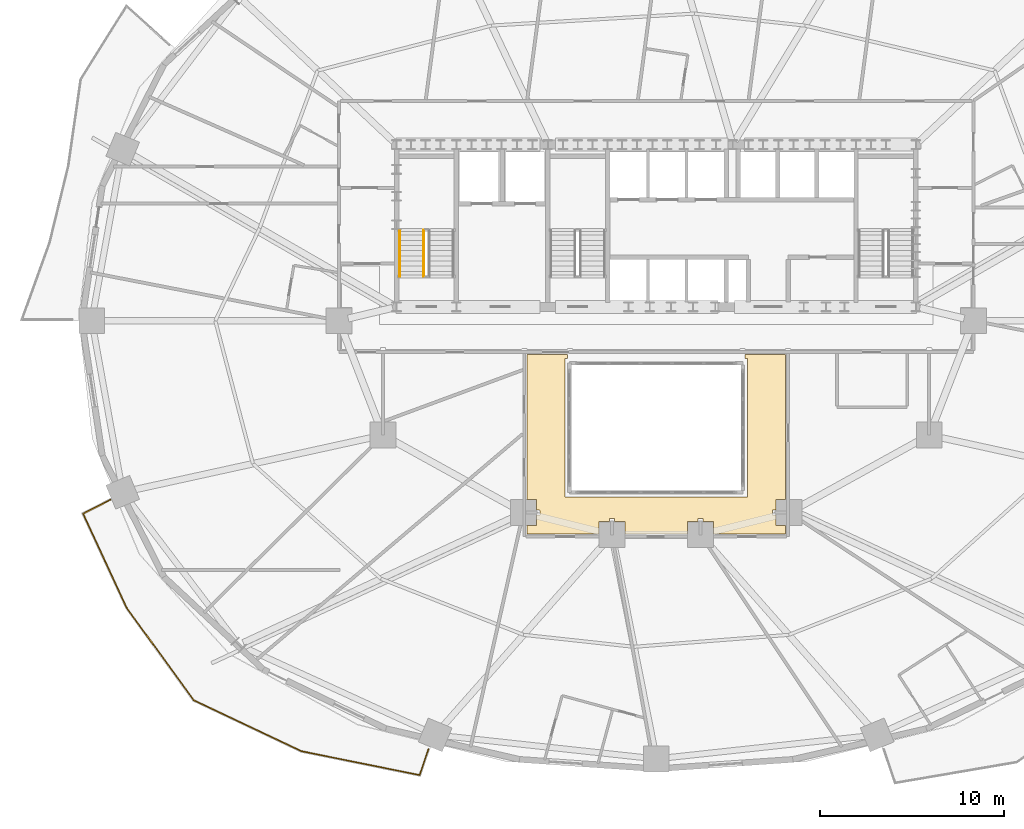
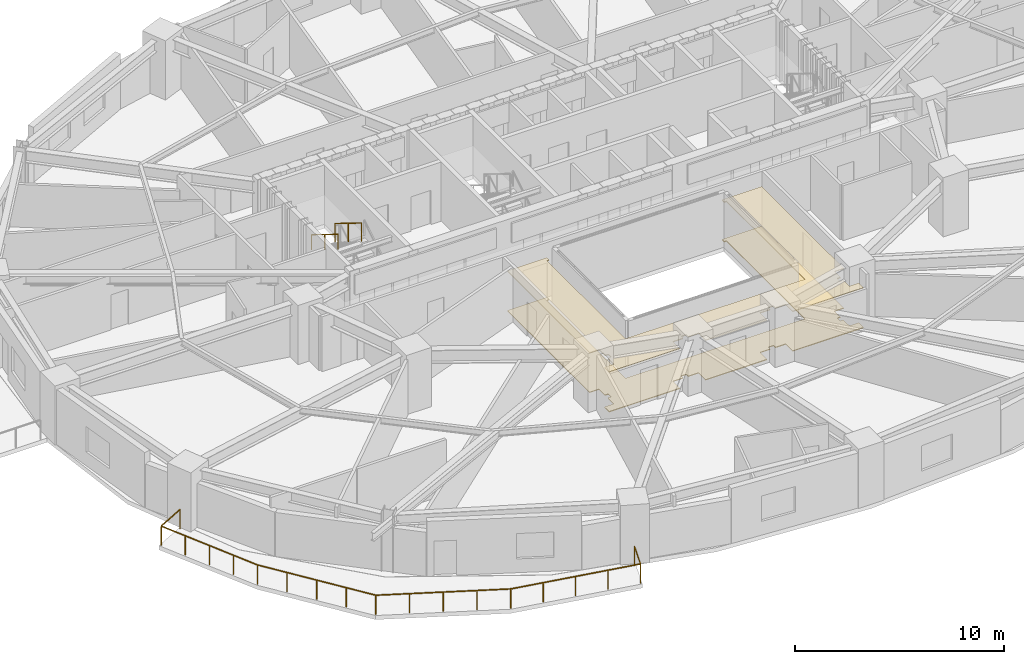
# One storey, part 14 of 17: 3 railings, 2 coverings.
"""IFC4 building model written with IfcOpenShell, lengths in metres."""

from ifc_helpers import new_model, si_unit, direction, frame, origin, origin_2d, place, context, subcontext, project, spatial, polyline, rectangle, outline, extrude, material, layer, layer_set, type_object, element, save


model = new_model("IFC4")

# Units and contexts
model_context = context("Model", 3, precision=1e-05, world=origin(), true_north=direction((0.0, 1.0)))
body_context = subcontext(model_context, "Body", "Model", "MODEL_VIEW")
ifc_project = project(units=[si_unit("LENGTHUNIT", "METRE"), si_unit("AREAUNIT", "SQUARE_METRE"), si_unit("VOLUMEUNIT", "CUBIC_METRE"), si_unit("PLANEANGLEUNIT", "RADIAN"), si_unit("MASSUNIT", "GRAM", prefix="KILO")], contexts=[model_context])

# Site, building, storey
site_placement = place(None, origin())
site = spatial("IfcSite", under=ifc_project, at=site_placement, CompositionType="ELEMENT")
building_placement = place(site_placement, origin())
building = spatial("IfcBuilding", under=site, at=building_placement, Name="Haldorwick Loom Tower", CompositionType="ELEMENT")
storey_placement = place(building_placement, frame((0.0, 0.0, 51.60009765625)))
storey = spatial("IfcBuildingStorey", under=building, at=storey_placement, Name="L13", CompositionType="ELEMENT", Elevation=51.60009765625)

# Coverings
ifc_material_1 = material(Name="Mineral Fibre Acoustic Ceiling Tile")
ifc_layer_1 = layer(ifc_material_1, 0.054931640625, Name="Mineral Fibre Acoustic Ceiling Tile")
ifc_layer_set_1 = layer_set([ifc_layer_1], Name="Mineral Fibre Acoustic Ceiling Tile")
covering_type_1 = type_object("IfcCoveringType", Name="ARC-COV-CEIL2", PredefinedType="CEILING", material=ifc_layer_set_1)
covering_1_placement = place(storey_placement, frame((0.0, 0.0, 2.302001953125)))
element("IfcCovering", 1, at=covering_1_placement, inside=storey, type_object=covering_type_1, Name="L13 Acoustic Suspended Ceiling 1", PredefinedType="CEILING", context=body_context, shape_type="SweptSolid", body=[
    extrude(outline(polyline([(37.69189453125, 14.43994140625), (37.69189453125, 15.10791015625), (38.260009765625, 15.10791015625), (38.260009765625, 15.27001953125), (38.260009765625, 15.27197265625), (38.260498046875, 15.27392578125), (38.260986328125, 15.27587890625), (38.261474609375, 15.277587890625), (38.262451171875, 15.279296875), (38.263427734375, 15.281005859375), (38.264404296875, 15.28271484375), (38.265869140625, 15.2841796875), (38.267333984375, 15.285400390625), (38.268798828125, 15.28662109375), (38.2705078125, 15.28759765625), (38.272216796875, 15.28857421875), (38.274169921875, 15.2890625), (38.276123046875, 15.28955078125), (38.278076171875, 15.289794921875), (38.280029296875, 15.2900390625), (38.52001953125, 15.2900390625), (38.52197265625, 15.289794921875), (38.52392578125, 15.28955078125), (38.52587890625, 15.289306640625), (38.527587890625, 15.28857421875), (38.529296875, 15.28759765625), (38.531005859375, 15.28662109375), (38.53271484375, 15.285400390625), (38.5341796875, 15.2841796875), (38.535400390625, 15.28271484375), (38.53662109375, 15.28125), (38.53759765625, 15.279541015625), (38.538330078125, 15.27783203125), (38.5390625, 15.27587890625), (38.53955078125, 15.274169921875), (38.539794921875, 15.272216796875), (38.5400390625, 15.270263671875), (38.5419921875, 15.10791015625), (39.10791015625, 15.10791015625), (39.10791015625, 14.43994140625), (43.010009765625, 14.43994140625), (43.010009765625, 14.89208984375), (42.491943359375, 14.89208984375), (42.491943359375, 15.4599609375), (42.330078125, 15.4599609375), (42.327880859375, 15.460205078125), (42.326171875, 15.46044921875), (42.32421875, 15.4609375), (42.322265625, 15.46142578125), (42.320556640625, 15.46240234375), (42.31884765625, 15.46337890625), (42.3173828125, 15.464599609375), (42.31591796875, 15.4658203125), (42.314453125, 15.46728515625), (42.3134765625, 15.468994140625), (42.3125, 15.470703125), (42.3115234375, 15.472412109375), (42.310791015625, 15.47412109375), (42.310302734375, 15.47607421875), (42.31005859375, 15.47802734375), (42.31005859375, 15.47998046875), (42.31005859375, 15.719970703125), (42.31005859375, 15.721923828125), (42.310302734375, 15.723876953125), (42.310791015625, 15.725830078125), (42.3115234375, 15.727783203125), (42.3125, 15.7294921875), (42.3134765625, 15.731201171875), (42.314453125, 15.732666015625), (42.31591796875, 15.734130859375), (42.3173828125, 15.735595703125), (42.31884765625, 15.736572265625), (42.320556640625, 15.737548828125), (42.322265625, 15.738525390625), (42.32421875, 15.739013671875), (42.326171875, 15.739501953125), (42.327880859375, 15.739990234375), (42.330078125, 15.739990234375), (42.491943359375, 15.739990234375), (42.491943359375, 16.30810546875), (43.010009765625, 16.30810546875), (43.010009765625, 24.159912109375), (40.820068359375, 24.159912109375), (40.820068359375, 23.949951171875), (40.949951171875, 23.949951171875), (40.949951171875, 16.449951171875), (31.050048828125, 16.449951171875), (31.050048828125, 23.949951171875), (31.179931640625, 23.949951171875), (31.179931640625, 24.159912109375), (28.989990234375, 24.159912109375), (28.989990234375, 16.30810546875), (29.508056640625, 16.30810546875), (29.508056640625, 15.739990234375), (29.669921875, 15.739990234375), (29.672119140625, 15.739990234375), (29.673828125, 15.739501953125), (29.67578125, 15.739013671875), (29.677734375, 15.738525390625), (29.679443359375, 15.737548828125), (29.68115234375, 15.736572265625), (29.6826171875, 15.735595703125), (29.68408203125, 15.734130859375), (29.685546875, 15.732666015625), (29.6865234375, 15.731201171875), (29.6875, 15.7294921875), (29.6884765625, 15.727783203125), (29.689208984375, 15.725830078125), (29.689697265625, 15.723876953125), (29.68994140625, 15.721923828125), (29.68994140625, 15.719970703125), (29.68994140625, 15.47998046875), (29.68994140625, 15.47802734375), (29.689697265625, 15.47607421875), (29.689208984375, 15.47412109375), (29.6884765625, 15.472412109375), (29.6875, 15.470703125), (29.6865234375, 15.468994140625), (29.685546875, 15.46728515625), (29.68408203125, 15.4658203125), (29.6826171875, 15.464599609375), (29.68115234375, 15.46337890625), (29.679443359375, 15.46240234375), (29.677734375, 15.46142578125), (29.67578125, 15.4609375), (29.673828125, 15.46044921875), (29.672119140625, 15.460205078125), (29.669921875, 15.4599609375), (29.508056640625, 15.4599609375), (29.508056640625, 14.89208984375), (28.989990234375, 14.89208984375), (28.989990234375, 14.43994140625), (32.89208984375, 14.43994140625), (32.89208984375, 15.10791015625), (33.458984375, 15.10791015625), (33.4599609375, 15.27001953125), (33.460205078125, 15.272216796875), (33.46044921875, 15.27392578125), (33.4609375, 15.27587890625), (33.461669921875, 15.277587890625), (33.46240234375, 15.279541015625), (33.46337890625, 15.28125), (33.464599609375, 15.28271484375), (33.4658203125, 15.2841796875), (33.46728515625, 15.285400390625), (33.468994140625, 15.28662109375), (33.470703125, 15.28759765625), (33.472412109375, 15.28857421875), (33.47412109375, 15.2890625), (33.47607421875, 15.28955078125), (33.47802734375, 15.289794921875), (33.47998046875, 15.2900390625), (33.719970703125, 15.2900390625), (33.721923828125, 15.289794921875), (33.723876953125, 15.28955078125), (33.725830078125, 15.2890625), (33.727783203125, 15.28857421875), (33.7294921875, 15.28759765625), (33.731201171875, 15.28662109375), (33.732666015625, 15.285400390625), (33.734130859375, 15.2841796875), (33.735595703125, 15.28271484375), (33.736572265625, 15.281005859375), (33.737548828125, 15.279296875), (33.738525390625, 15.277587890625), (33.739013671875, 15.27587890625), (33.739501953125, 15.27392578125), (33.739990234375, 15.27197265625), (33.739990234375, 15.27001953125), (33.739990234375, 15.10791015625), (34.30810546875, 15.10791015625), (34.30810546875, 14.43994140625), (37.69189453125, 14.43994140625)])), origin(), (0.0, 0.0, 1.0), 0.054931640625),
])
ifc_material_2 = material(Name="Polished Aggregate Terrazzo Finish")
ifc_layer_2 = layer(ifc_material_2, 0.044921875, Name="Polished Aggregate Terrazzo Finish")
ifc_layer_set_2 = layer_set([ifc_layer_2], Name="Polished Aggregate Terrazzo Finish")
covering_type_2 = type_object("IfcCoveringType", Name="ARC-COV-FLOOR2", PredefinedType="FLOORING", material=ifc_layer_set_2)
covering_2_placement = place(storey_placement, origin())
element("IfcCovering", 2, at=covering_2_placement, inside=storey, type_object=covering_type_2, Name="L13 Floor Finish 1", PredefinedType="FLOORING", context=body_context, shape_type="SweptSolid", body=[
    extrude(outline(polyline([(37.69189453125, 14.43994140625), (37.69189453125, 15.10791015625), (38.260009765625, 15.10791015625), (38.260009765625, 15.27001953125), (38.260009765625, 15.27197265625), (38.260498046875, 15.27392578125), (38.260986328125, 15.27587890625), (38.261474609375, 15.277587890625), (38.262451171875, 15.279296875), (38.263427734375, 15.281005859375), (38.264404296875, 15.28271484375), (38.265869140625, 15.2841796875), (38.267333984375, 15.285400390625), (38.268798828125, 15.28662109375), (38.2705078125, 15.28759765625), (38.272216796875, 15.28857421875), (38.274169921875, 15.2890625), (38.276123046875, 15.28955078125), (38.278076171875, 15.289794921875), (38.280029296875, 15.2900390625), (38.52001953125, 15.2900390625), (38.52197265625, 15.289794921875), (38.52392578125, 15.28955078125), (38.52587890625, 15.289306640625), (38.527587890625, 15.28857421875), (38.529296875, 15.28759765625), (38.531005859375, 15.28662109375), (38.53271484375, 15.285400390625), (38.5341796875, 15.2841796875), (38.535400390625, 15.28271484375), (38.53662109375, 15.28125), (38.53759765625, 15.279541015625), (38.538330078125, 15.27783203125), (38.5390625, 15.27587890625), (38.53955078125, 15.274169921875), (38.539794921875, 15.272216796875), (38.5400390625, 15.270263671875), (38.5419921875, 15.10791015625), (39.10791015625, 15.10791015625), (39.10791015625, 14.43994140625), (43.010009765625, 14.43994140625), (43.010009765625, 14.89208984375), (42.491943359375, 14.89208984375), (42.491943359375, 15.4599609375), (42.330078125, 15.4599609375), (42.327880859375, 15.460205078125), (42.326171875, 15.46044921875), (42.32421875, 15.4609375), (42.322265625, 15.46142578125), (42.320556640625, 15.46240234375), (42.31884765625, 15.46337890625), (42.3173828125, 15.464599609375), (42.31591796875, 15.4658203125), (42.314453125, 15.46728515625), (42.3134765625, 15.468994140625), (42.3125, 15.470703125), (42.3115234375, 15.472412109375), (42.310791015625, 15.47412109375), (42.310302734375, 15.47607421875), (42.31005859375, 15.47802734375), (42.31005859375, 15.47998046875), (42.31005859375, 15.719970703125), (42.31005859375, 15.721923828125), (42.310302734375, 15.723876953125), (42.310791015625, 15.725830078125), (42.3115234375, 15.727783203125), (42.3125, 15.7294921875), (42.3134765625, 15.731201171875), (42.314453125, 15.732666015625), (42.31591796875, 15.734130859375), (42.3173828125, 15.735595703125), (42.31884765625, 15.736572265625), (42.320556640625, 15.737548828125), (42.322265625, 15.738525390625), (42.32421875, 15.739013671875), (42.326171875, 15.739501953125), (42.327880859375, 15.739990234375), (42.330078125, 15.739990234375), (42.491943359375, 15.739990234375), (42.491943359375, 16.30810546875), (43.010009765625, 16.30810546875), (43.010009765625, 24.159912109375), (40.820068359375, 24.159912109375), (40.820068359375, 23.949951171875), (40.949951171875, 23.949951171875), (40.949951171875, 16.449951171875), (31.050048828125, 16.449951171875), (31.050048828125, 23.949951171875), (31.179931640625, 23.949951171875), (31.179931640625, 24.159912109375), (28.989990234375, 24.159912109375), (28.989990234375, 16.30810546875), (29.508056640625, 16.30810546875), (29.508056640625, 15.739990234375), (29.669921875, 15.739990234375), (29.672119140625, 15.739990234375), (29.673828125, 15.739501953125), (29.67578125, 15.739013671875), (29.677734375, 15.738525390625), (29.679443359375, 15.737548828125), (29.68115234375, 15.736572265625), (29.6826171875, 15.735595703125), (29.68408203125, 15.734130859375), (29.685546875, 15.732666015625), (29.6865234375, 15.731201171875), (29.6875, 15.7294921875), (29.6884765625, 15.727783203125), (29.689208984375, 15.725830078125), (29.689697265625, 15.723876953125), (29.68994140625, 15.721923828125), (29.68994140625, 15.719970703125), (29.68994140625, 15.47998046875), (29.68994140625, 15.47802734375), (29.689697265625, 15.47607421875), (29.689208984375, 15.47412109375), (29.6884765625, 15.472412109375), (29.6875, 15.470703125), (29.6865234375, 15.468994140625), (29.685546875, 15.46728515625), (29.68408203125, 15.4658203125), (29.6826171875, 15.464599609375), (29.68115234375, 15.46337890625), (29.679443359375, 15.46240234375), (29.677734375, 15.46142578125), (29.67578125, 15.4609375), (29.673828125, 15.46044921875), (29.672119140625, 15.460205078125), (29.669921875, 15.4599609375), (29.508056640625, 15.4599609375), (29.508056640625, 14.89208984375), (28.989990234375, 14.89208984375), (28.989990234375, 14.43994140625), (32.89208984375, 14.43994140625), (32.89208984375, 15.10791015625), (33.458984375, 15.10791015625), (33.4599609375, 15.27001953125), (33.460205078125, 15.272216796875), (33.46044921875, 15.27392578125), (33.4609375, 15.27587890625), (33.461669921875, 15.277587890625), (33.46240234375, 15.279541015625), (33.46337890625, 15.28125), (33.464599609375, 15.28271484375), (33.4658203125, 15.2841796875), (33.46728515625, 15.285400390625), (33.468994140625, 15.28662109375), (33.470703125, 15.28759765625), (33.472412109375, 15.28857421875), (33.47412109375, 15.2890625), (33.47607421875, 15.28955078125), (33.47802734375, 15.289794921875), (33.47998046875, 15.2900390625), (33.719970703125, 15.2900390625), (33.721923828125, 15.289794921875), (33.723876953125, 15.28955078125), (33.725830078125, 15.2890625), (33.727783203125, 15.28857421875), (33.7294921875, 15.28759765625), (33.731201171875, 15.28662109375), (33.732666015625, 15.285400390625), (33.734130859375, 15.2841796875), (33.735595703125, 15.28271484375), (33.736572265625, 15.281005859375), (33.737548828125, 15.279296875), (33.738525390625, 15.277587890625), (33.739013671875, 15.27587890625), (33.739501953125, 15.27392578125), (33.739990234375, 15.27197265625), (33.739990234375, 15.27001953125), (33.739990234375, 15.10791015625), (34.30810546875, 15.10791015625), (34.30810546875, 14.43994140625), (37.69189453125, 14.43994140625)])), origin(), (0.0, 0.0, 1.0), 0.044921875),
])

# Railings
ifc_material_3 = material(Name="Galvanized Steel CSA G40.21 350W", Category="steel")
railing_type_1 = type_object("IfcRailingType", Name="ARC-RLG-BAL115", PredefinedType="BALUSTRADE", material=ifc_material_3)
railing_1_placement = place(storey_placement, frame((23.660400390625, 2.79248046875, 0.0)))
element("IfcRailing", 3, at=railing_1_placement, inside=storey, type_object=railing_type_1, Name="L13 Outdoor Terrace Guardrail SLB-L13-BAL_SW-1", PredefinedType="BALUSTRADE", context=body_context, shape_type="SweptSolid", body=[
    extrude(rectangle(XDim=0.048095703125, YDim=0.048095703125, at=origin_2d()), frame((0.0, 0.0, 1.1259765625), z_axis=(-0.32290577032, -0.946431119255, 0.0), x_axis=(0.946431119255, -0.32290577032, 0.0)), (0.0, 0.0, 1.0), 1.500732421875),
    extrude(rectangle(XDim=0.048095703125, YDim=0.048095703125, at=origin_2d()), frame((-0.484619140625, -1.42041015625, 1.1259765625), z_axis=(-0.980139965522, 0.198306953954, 0.0), x_axis=(-0.198306953954, -0.980139965522, 0.0)), (0.0, 0.0, 1.0), 6.534912109375),
    extrude(rectangle(XDim=0.048095703125, YDim=0.048095703125, at=origin_2d()), frame((-6.8896484375, -0.12451171875, 1.1259765625), z_axis=(-0.903760901088, 0.428037654494, 0.0), x_axis=(-0.428037654494, -0.903760901088, 0.0)), (0.0, 0.0, 1.0), 6.46630859375),
    extrude(rectangle(XDim=0.048095703125, YDim=0.048095703125, at=origin_2d()), frame((-12.733642578125, 2.643310546875, 1.1259765625), z_axis=(-0.586900247166, 0.809659249238, 0.0), x_axis=(-0.809659249238, -0.586900247166, 0.0)), (0.0, 0.0, 1.0), 6.18017578125),
    extrude(rectangle(XDim=0.048095703125, YDim=0.048095703125, at=origin_2d()), frame((-16.36083984375, 7.647216796875, 1.1259765625), z_axis=(-0.420617836847, 0.907237915503, 0.0), x_axis=(-0.907237915503, -0.420617836847, 0.0)), (0.0, 0.0, 1.0), 5.626220703125),
    extrude(rectangle(XDim=0.048095703125, YDim=0.048095703125, at=origin_2d()), frame((-18.727294921875, 12.75146484375, 1.1259765625), z_axis=(0.891661262254, 0.452703206744, 0.0), x_axis=(-0.452703206744, 0.891661262254, 0.0)), (0.0, 0.0, 1.0), 1.65185546875),
    extrude(rectangle(XDim=0.0419921875, YDim=0.0419921875, at=origin_2d()), origin(), (0.0, 0.0, 1.0), 1.101806640625),
    extrude(rectangle(XDim=0.0419921875, YDim=0.0419921875, at=origin_2d()), frame((-0.484619140625, -1.42041015625, 0.0)), (0.0, 0.0, 1.0), 1.101806640625),
    extrude(rectangle(XDim=0.0419921875, YDim=0.0419921875, at=origin_2d()), frame((-2.0859375, -1.096435546875, 0.0)), (0.0, 0.0, 1.0), 1.101806640625),
    extrude(rectangle(XDim=0.0419921875, YDim=0.0419921875, at=origin_2d()), frame((-3.68701171875, -0.7724609375, 0.0)), (0.0, 0.0, 1.0), 1.101806640625),
    extrude(rectangle(XDim=0.0419921875, YDim=0.0419921875, at=origin_2d()), frame((-5.288330078125, -0.448486328125, 0.0)), (0.0, 0.0, 1.0), 1.101806640625),
    extrude(rectangle(XDim=0.0419921875, YDim=0.0419921875, at=origin_2d()), frame((-6.8896484375, -0.12451171875, 0.0)), (0.0, 0.0, 1.0), 1.101806640625),
    extrude(rectangle(XDim=0.0419921875, YDim=0.0419921875, at=origin_2d()), frame((-8.3505859375, 0.5673828125, 0.0)), (0.0, 0.0, 1.0), 1.101806640625),
    extrude(rectangle(XDim=0.0419921875, YDim=0.0419921875, at=origin_2d()), frame((-9.8115234375, 1.25927734375, 0.0)), (0.0, 0.0, 1.0), 1.101806640625),
    extrude(rectangle(XDim=0.0419921875, YDim=0.0419921875, at=origin_2d()), frame((-11.272705078125, 1.951416015625, 0.0)), (0.0, 0.0, 1.0), 1.101806640625),
    extrude(rectangle(XDim=0.0419921875, YDim=0.0419921875, at=origin_2d()), frame((-12.733642578125, 2.643310546875, 0.0)), (0.0, 0.0, 1.0), 1.101806640625),
    extrude(rectangle(XDim=0.0419921875, YDim=0.0419921875, at=origin_2d()), frame((-13.640380859375, 3.894287109375, 0.0)), (0.0, 0.0, 1.0), 1.101806640625),
    extrude(rectangle(XDim=0.0419921875, YDim=0.0419921875, at=origin_2d()), frame((-14.54736328125, 5.145263671875, 0.0)), (0.0, 0.0, 1.0), 1.101806640625),
    extrude(rectangle(XDim=0.0419921875, YDim=0.0419921875, at=origin_2d()), frame((-15.4541015625, 6.396240234375, 0.0)), (0.0, 0.0, 1.0), 1.101806640625),
    extrude(rectangle(XDim=0.0419921875, YDim=0.0419921875, at=origin_2d()), frame((-16.36083984375, 7.647216796875, 0.0)), (0.0, 0.0, 1.0), 1.101806640625),
    extrude(rectangle(XDim=0.0419921875, YDim=0.0419921875, at=origin_2d()), frame((-16.952392578125, 8.92333984375, 0.0)), (0.0, 0.0, 1.0), 1.101806640625),
    extrude(rectangle(XDim=0.0419921875, YDim=0.0419921875, at=origin_2d()), frame((-17.5439453125, 10.19921875, 0.0)), (0.0, 0.0, 1.0), 1.101806640625),
    extrude(rectangle(XDim=0.0419921875, YDim=0.0419921875, at=origin_2d()), frame((-18.1357421875, 11.475341796875, 0.0)), (0.0, 0.0, 1.0), 1.101806640625),
    extrude(rectangle(XDim=0.0419921875, YDim=0.0419921875, at=origin_2d()), frame((-18.727294921875, 12.75146484375, 0.0)), (0.0, 0.0, 1.0), 1.101806640625),
    extrude(rectangle(XDim=0.0419921875, YDim=0.0419921875, at=origin_2d()), frame((-17.25439453125, 13.499267578125, 0.0)), (0.0, 0.0, 1.0), 1.101806640625),
])
ifc_material_4 = material(Name="Steel CSA G40.21 350W", Category="steel")
railing_type_2 = type_object("IfcRailingType", Name="ARC-RLG-GUARD112", PredefinedType="GUARDRAIL", material=ifc_material_4)
railing_2_placement = place(storey_placement, frame((23.39990234375, 30.919921875, 1.8974609375)))
element("IfcRailing", 4, at=railing_2_placement, inside=storey, type_object=railing_type_2, Name="L13 ST-01 stair guard 3", PredefinedType="GUARDRAIL", context=body_context, shape_type="SweptSolid", body=[
    extrude(rectangle(XDim=0.048095703125, YDim=0.048095703125, at=origin_2d()), frame((0.0, 0.0, 1.076171875), z_axis=(0.0, -0.851400495292, 0.524516154772), x_axis=(1.0, 0.0, 0.0)), (0.0, 0.0, 1.0), 2.9599609375),
    extrude(rectangle(XDim=0.0419921875, YDim=0.0419921875, at=origin_2d()), origin(), (0.0, 0.0, 1.0), 1.052001953125),
    extrude(rectangle(XDim=0.0419921875, YDim=0.0419921875, at=origin_2d()), frame((0.0, -1.260009765625, 0.7763671875)), (0.0, 0.0, 1.0), 1.052001953125),
    extrude(rectangle(XDim=0.0419921875, YDim=0.0419921875, at=origin_2d()), frame((0.0, -2.52001953125, 1.552490234375)), (0.0, 0.0, 1.0), 1.052001953125),
])
railing_type_3 = type_object("IfcRailingType", Name="ARC-RLG-HAND092", PredefinedType="HANDRAIL", material=ifc_material_4)
railing_3_placement = place(storey_placement, frame((22.10009765625, 30.919921875, 1.8974609375)))
element("IfcRailing", 5, at=railing_3_placement, inside=storey, type_object=railing_type_3, Name="L13 ST-01 stair handrail 2", PredefinedType="HANDRAIL", context=body_context, shape_type="SweptSolid", body=[
    extrude(rectangle(XDim=0.048095703125, YDim=0.048095703125, at=origin_2d()), frame((0.0, 0.0, 0.8759765625), z_axis=(0.0, -0.851400495292, 0.524516154772), x_axis=(1.0, 0.0, 0.0)), (0.0, 0.0, 1.0), 2.9599609375),
    extrude(rectangle(XDim=0.0419921875, YDim=0.0419921875, at=origin_2d()), origin(), (0.0, 0.0, 1.0), 0.851806640625),
    extrude(rectangle(XDim=0.0419921875, YDim=0.0419921875, at=origin_2d()), frame((0.0, -1.260009765625, 0.7763671875)), (0.0, 0.0, 1.0), 0.851806640625),
    extrude(rectangle(XDim=0.0419921875, YDim=0.0419921875, at=origin_2d()), frame((0.0, -2.52001953125, 1.552490234375)), (0.0, 0.0, 1.0), 0.851806640625),
])

save(model, "model.ifc")
